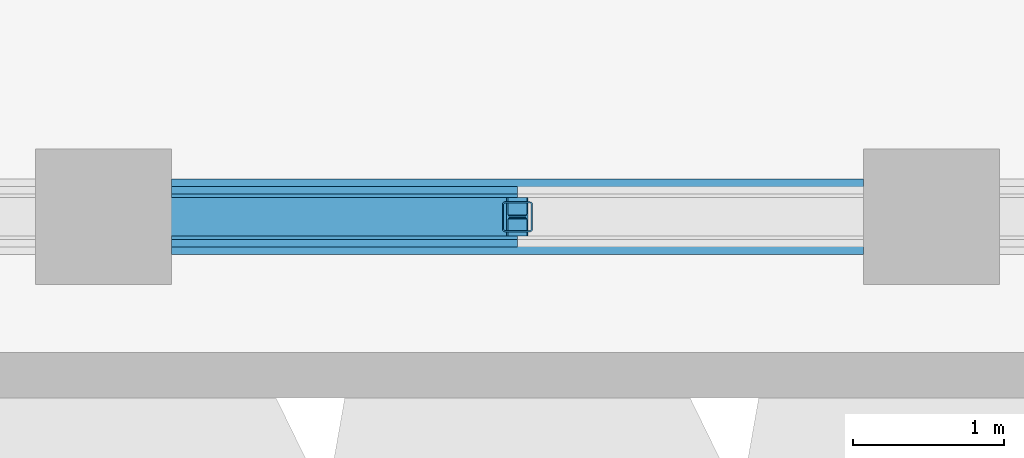
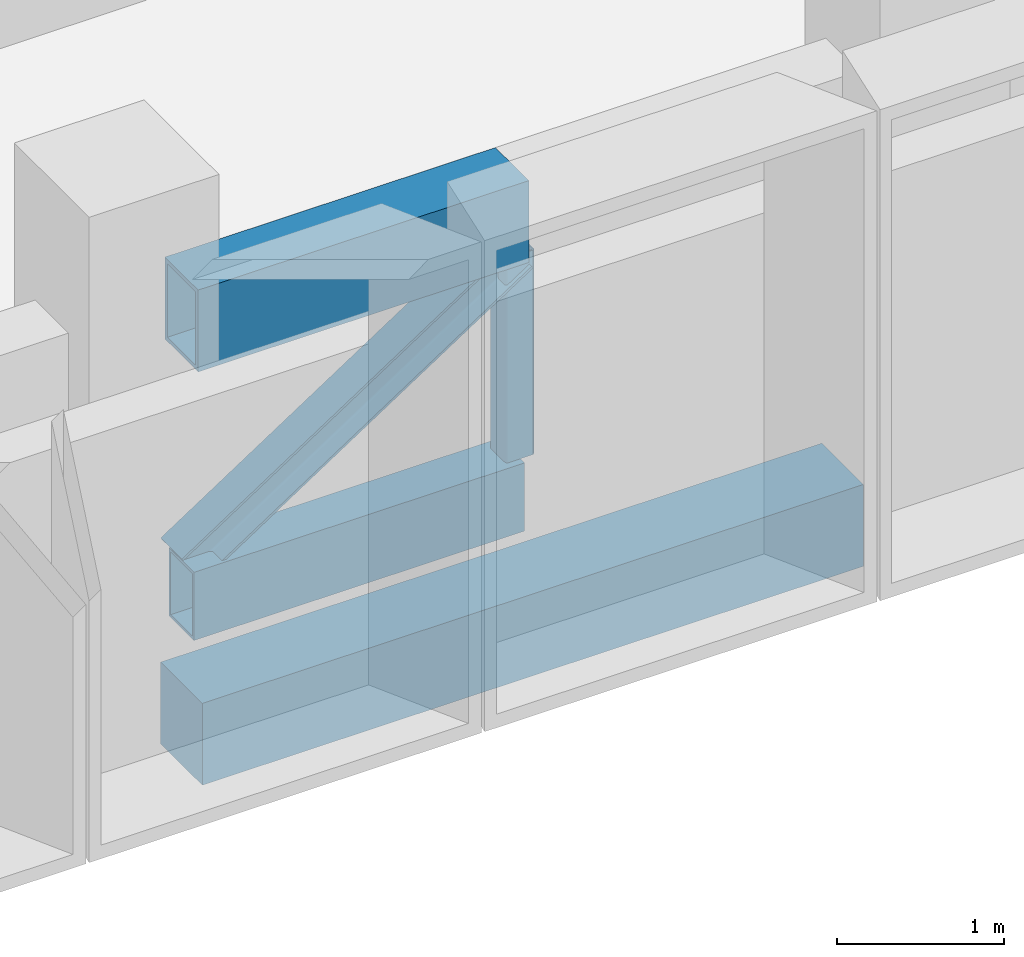
# One storey, part 3 of 22: 4 members, 1 beam.
"""IFC4 building model written with IfcOpenShell, lengths in metres."""

from ifc_helpers import new_model, si_unit, direction, frame, origin, origin_2d, place, context, subcontext, project, spatial, rectangle, hollow_rectangle, i_section, extrude, material, material_profile, profile_set, type_object, element, save


model = new_model("IFC4")

# Units and contexts
model_context = context("Model", 3, precision=1e-05, world=origin(), true_north=direction((0.0, 1.0)))
body_context = subcontext(model_context, "Body", "Model", "MODEL_VIEW")
ifc_project = project(units=[si_unit("LENGTHUNIT", "METRE"), si_unit("AREAUNIT", "SQUARE_METRE"), si_unit("VOLUMEUNIT", "CUBIC_METRE"), si_unit("PLANEANGLEUNIT", "RADIAN"), si_unit("MASSUNIT", "GRAM", prefix="KILO")], contexts=[model_context])

# Site, building, storey
site_placement = place(None, origin())
site = spatial("IfcSite", under=ifc_project, at=site_placement, CompositionType="ELEMENT")
building_placement = place(site_placement, origin())
building = spatial("IfcBuilding", under=site, at=building_placement, Name="Beryl Residences", CompositionType="ELEMENT")
storey_placement = place(building_placement, frame((0.0, 0.0, 153.60009765625)))
storey = spatial("IfcBuildingStorey", under=building, at=storey_placement, Name="L47", CompositionType="ELEMENT", Elevation=153.60009765625)

# Members
ifc_material_1 = material(Name="Steel S355", Category="steel")
ifc_material_profile_1 = material_profile(ifc_material_1, hollow_rectangle(XDim=0.300048828125, YDim=0.5, WallThickness=0.02001953125, at=origin_2d()))
ifc_profile_set_1 = profile_set([ifc_material_profile_1], Name="Steel S355")
member_type_1 = type_object("IfcMemberType", Name="BB3 belt truss bottom chord WB 500x300x20", PredefinedType="CHORD", material=ifc_profile_set_1)
member_1_placement = place(storey_placement, frame((0.450927734375, -24.800048828125, 0.25), z_axis=(1.0, 0.0, 0.0), x_axis=(0.0, 1.0, 0.0)))
element("IfcMember", 1, at=member_1_placement, inside=storey, type_object=member_type_1, Name="Belt truss BB3-S-2a L47", PredefinedType="CHORD", context=body_context, shape_type="SweptSolid", body=[
    extrude(hollow_rectangle(XDim=0.300048828125, YDim=0.5, WallThickness=0.02001953125, at=origin_2d()), origin(), (0.0, 0.0, 1.0), 2.29296875),
])
ifc_material_2 = material(Name="Steel S355", Category="steel")
ifc_material_profile_2 = material_profile(ifc_material_2, i_section(OverallWidth=0.256103515625, OverallDepth=0.260009765625, WebThickness=0.010498046875, FlangeThickness=0.017333984375, FilletRadius=0.013916015625, at=origin_2d()))
ifc_profile_set_2 = profile_set([ifc_material_profile_2], Name="Steel S355")
member_type_2 = type_object("IfcMemberType", Name="BD3 belt truss diagonal 250UC90", PredefinedType="BRACE", material=ifc_profile_set_2)
member_2_placement = place(storey_placement, frame((0.450927734375, -24.800048828125, 0.5), z_axis=(0.836844018431, 0.0, 0.547441402176), x_axis=(0.0, 1.0, 0.0)))
element("IfcMember", 2, at=member_2_placement, inside=storey, type_object=member_type_2, Name="Belt truss BD3-S-2a L47", PredefinedType="BRACE", context=body_context, shape_type="SweptSolid", body=[
    extrude(i_section(OverallWidth=0.256103515625, OverallDepth=0.260009765625, WebThickness=0.010498046875, FlangeThickness=0.017333984375, FilletRadius=0.013916015625, at=origin_2d()), origin(), (0.0, 0.0, 1.0), 2.739990234375),
])
ifc_material_3 = material(Name="Steel S355", Category="steel")
ifc_material_profile_3 = material_profile(ifc_material_3, hollow_rectangle(XDim=0.199951171875, YDim=0.199951171875, WallThickness=0.009033203125, InnerFilletRadius=0.009033203125, OuterFilletRadius=0.01806640625, at=origin_2d()))
ifc_profile_set_3 = profile_set([ifc_material_profile_3], Name="Steel S355")
member_type_3 = type_object("IfcMemberType", Name="BQ3 belt truss post SHS 200x200x9", PredefinedType="POST", material=ifc_profile_set_3)
member_3_placement = place(storey_placement, frame((2.743896484375, -24.800048828125, 0.5), z_axis=(0.0, 0.0, 1.0), x_axis=(1.0, 0.0, 0.0)))
element("IfcMember", 3, at=member_3_placement, inside=storey, type_object=member_type_3, Name="Belt truss BQ3-S-2 L47", PredefinedType="POST", context=body_context, shape_type="SweptSolid", body=[
    extrude(hollow_rectangle(XDim=0.199951171875, YDim=0.199951171875, WallThickness=0.009033203125, InnerFilletRadius=0.009033203125, OuterFilletRadius=0.01806640625, at=origin_2d()), origin(), (0.0, 0.0, 1.0), 1.5),
])
ifc_material_4 = material(Name="Steel S355", Category="steel")
ifc_material_profile_4 = material_profile(ifc_material_4, hollow_rectangle(XDim=0.39990234375, YDim=0.60009765625, WallThickness=0.030029296875, at=origin_2d()))
ifc_profile_set_4 = profile_set([ifc_material_profile_4], Name="Steel S355")
member_type_4 = type_object("IfcMemberType", Name="BT3 belt truss top chord WB 600x400x30", PredefinedType="CHORD", material=ifc_profile_set_4)
member_4_placement = place(storey_placement, frame((0.450927734375, -24.800048828125, 2.2998046875), z_axis=(1.0, 0.0, 0.0), x_axis=(0.0, 1.0, 0.0)))
element("IfcMember", 4, at=member_4_placement, inside=storey, type_object=member_type_4, Name="Belt truss BT3-S-2a L47", PredefinedType="CHORD", context=body_context, shape_type="SweptSolid", body=[
    extrude(hollow_rectangle(XDim=0.39990234375, YDim=0.60009765625, WallThickness=0.030029296875, at=origin_2d()), origin(), (0.0, 0.0, 1.0), 2.29296875),
])

# Beam
ifc_material_5 = material(Name="Concrete C60/75", Category="concrete")
ifc_material_profile_5 = material_profile(ifc_material_5, rectangle(XDim=0.5, YDim=0.60009765625, at=origin_2d()))
ifc_profile_set_5 = profile_set([ifc_material_profile_5], Name="Concrete C60/75")
beam_type = type_object("IfcBeamType", Name="SB3 spandrel beam 500 x 600 C60/75", PredefinedType="SPANDREL", material=ifc_profile_set_5)
beam_placement = place(storey_placement, frame((0.450927734375, -24.800048828125, -0.7001953125), z_axis=(1.0, 0.0, 0.0), x_axis=(0.0, 1.0, 0.0)))
element("IfcBeam", 5, at=beam_placement, inside=storey, type_object=beam_type, Name="SB3 L47 S-2", PredefinedType="SPANDREL", context=body_context, shape_type="SweptSolid", body=[
    extrude(rectangle(XDim=0.5, YDim=0.60009765625, at=origin_2d()), origin(), (0.0, 0.0, 1.0), 4.5849609375),
])

save(model, "model.ifc")
